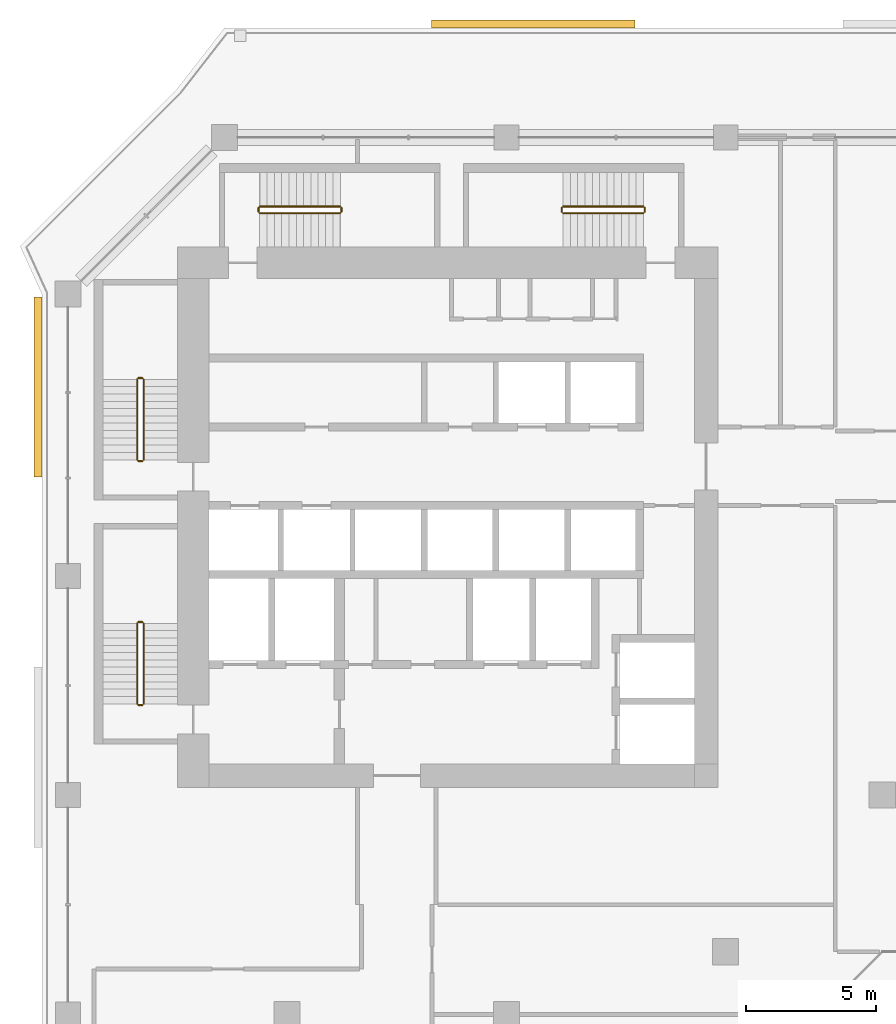
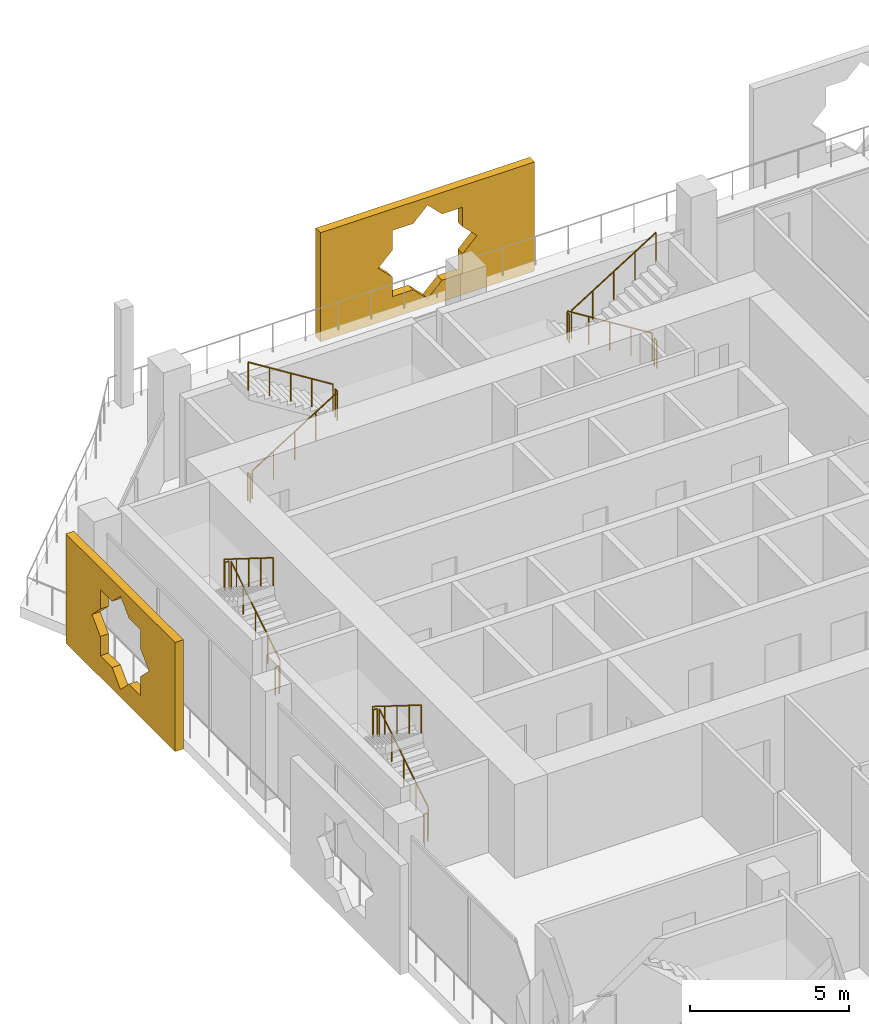
# One storey, part 19 of 22: 16 railings, 2 coverings.
"""IFC4 building model written with IfcOpenShell, lengths in metres."""

from ifc_helpers import new_model, si_unit, direction, frame, origin, origin_2d, place, context, subcontext, project, spatial, polyline, circle, outline, extrude, material, material_profile, profile_set, type_object, element, save


model = new_model("IFC4")

# Units and contexts
model_context = context("Model", 3, precision=1e-05, world=origin(), true_north=direction((0.0, 1.0)))
body_context = subcontext(model_context, "Body", "Model", "MODEL_VIEW")
ifc_project = project(units=[si_unit("LENGTHUNIT", "METRE"), si_unit("AREAUNIT", "SQUARE_METRE"), si_unit("VOLUMEUNIT", "CUBIC_METRE"), si_unit("PLANEANGLEUNIT", "RADIAN"), si_unit("MASSUNIT", "GRAM", prefix="KILO")], contexts=[model_context])

# Site, building, storey
site_placement = place(None, origin())
site = spatial("IfcSite", under=ifc_project, at=site_placement, CompositionType="ELEMENT")
building_placement = place(site_placement, origin())
building = spatial("IfcBuilding", under=site, at=building_placement, Name="Kawkab Arch Medical Tower", CompositionType="ELEMENT")
storey_placement = place(building_placement, frame((0.0, 0.0, 171.0)))
storey = spatial("IfcBuildingStorey", under=building, at=storey_placement, Name="L39", CompositionType="ELEMENT", Elevation=171.0)

# Coverings
ifc_material_1 = material(Name="Bronze anodised aluminium mashrabiya panel, eight-point star pattern", Category="aluminium")
ifc_material_profile_1 = material_profile(ifc_material_1, outline(polyline([(-3.449951171875, -2.10009765625), (3.449951171875, -2.10009765625), (3.449951171875, 2.10009765625), (-3.449951171875, 2.10009765625), (-3.449951171875, -2.10009765625)]), holes=[polyline([(1.800048828125, 0.0), (1.272705078125, 0.527099609375), (1.272705078125, 1.272705078125), (0.527099609375, 1.272705078125), (0.0, 1.800048828125), (-0.527099609375, 1.272705078125), (-1.272705078125, 1.272705078125), (-1.272705078125, 0.527099609375), (-1.800048828125, 0.0), (-1.272705078125, -0.527099609375), (-1.272705078125, -1.272705078125), (-0.527099609375, -1.272705078125), (0.0, -1.800048828125), (0.527099609375, -1.272705078125), (1.272705078125, -1.272705078125), (1.272705078125, -0.527099609375), (1.800048828125, 0.0)])]), Name="Mashrabiya panel 6900x4200")
ifc_profile_set_1 = profile_set([ifc_material_profile_1], Name="Bronze anodised aluminium mashrabiya panel, eight-point star pattern")
covering_type_1 = type_object("IfcCoveringType", Name="Mashrabiya panel 6900 x 4200", PredefinedType="USERDEFINED", material=ifc_profile_set_1)
covering_1_placement = place(storey_placement, frame((-1.0, -9.568115234375, 1.699951171875), z_axis=(-1.0, 0.0, 0.0), x_axis=(0.0, -1.0, 0.0)))
element("IfcCovering", 1, at=covering_1_placement, inside=storey, type_object=covering_type_1, Name="Mashrabiya panel L39.LOG-01-01.3", ObjectType="SCREEN", PredefinedType="USERDEFINED", context=body_context, shape_type="SweptSolid", body=[
    extrude(outline(polyline([(-3.449951171875, -2.10009765625), (3.449951171875, -2.10009765625), (3.449951171875, 2.10009765625), (-3.449951171875, 2.10009765625), (-3.449951171875, -2.10009765625)]), holes=[polyline([(1.800048828125, 0.0), (1.272705078125, 0.527099609375), (1.272705078125, 1.272705078125), (0.527099609375, 1.272705078125), (0.0, 1.800048828125), (-0.527099609375, 1.272705078125), (-1.272705078125, 1.272705078125), (-1.272705078125, 0.527099609375), (-1.800048828125, 0.0), (-1.272705078125, -0.527099609375), (-1.272705078125, -1.272705078125), (-0.527099609375, -1.272705078125), (0.0, -1.800048828125), (0.527099609375, -1.272705078125), (1.272705078125, -1.272705078125), (1.272705078125, -0.527099609375), (1.800048828125, 0.0)])]), origin(), (0.0, 0.0, 1.0), 0.300048828125),
])
ifc_material_2 = material(Name="Bronze anodised aluminium mashrabiya panel, eight-point star pattern", Category="aluminium")
ifc_material_profile_2 = material_profile(ifc_material_2, outline(polyline([(-3.89990234375, -2.10009765625), (3.89990234375, -2.10009765625), (3.89990234375, 2.10009765625), (-3.89990234375, 2.10009765625), (-3.89990234375, -2.10009765625)]), holes=[polyline([(1.800048828125, 0.0), (1.272705078125, 0.527099609375), (1.272705078125, 1.272705078125), (0.527099609375, 1.272705078125), (0.0, 1.800048828125), (-0.527099609375, 1.272705078125), (-1.272705078125, 1.272705078125), (-1.272705078125, 0.527099609375), (-1.800048828125, 0.0), (-1.272705078125, -0.527099609375), (-1.272705078125, -1.272705078125), (-0.527099609375, -1.272705078125), (0.0, -1.800048828125), (0.527099609375, -1.272705078125), (1.272705078125, -1.272705078125), (1.272705078125, -0.527099609375), (1.800048828125, 0.0)])]), Name="Mashrabiya panel 7800x4200")
ifc_profile_set_2 = profile_set([ifc_material_profile_2], Name="Bronze anodised aluminium mashrabiya panel, eight-point star pattern")
covering_type_2 = type_object("IfcCoveringType", Name="Mashrabiya panel 7800 x 4200", PredefinedType="USERDEFINED", material=ifc_profile_set_2)
covering_2_placement = place(storey_placement, frame((17.831298828125, 4.199951171875, 1.699951171875), z_axis=(0.0, 1.0, 0.0), x_axis=(-1.0, 0.0, 0.0)))
element("IfcCovering", 2, at=covering_2_placement, inside=storey, type_object=covering_type_2, Name="Mashrabiya panel L39.LOG-01-01.4", ObjectType="SCREEN", PredefinedType="USERDEFINED", context=body_context, shape_type="SweptSolid", body=[
    extrude(outline(polyline([(-3.89990234375, -2.10009765625), (3.89990234375, -2.10009765625), (3.89990234375, 2.10009765625), (-3.89990234375, 2.10009765625), (-3.89990234375, -2.10009765625)]), holes=[polyline([(1.800048828125, 0.0), (1.272705078125, 0.527099609375), (1.272705078125, 1.272705078125), (0.527099609375, 1.272705078125), (0.0, 1.800048828125), (-0.527099609375, 1.272705078125), (-1.272705078125, 1.272705078125), (-1.272705078125, 0.527099609375), (-1.800048828125, 0.0), (-1.272705078125, -0.527099609375), (-1.272705078125, -1.272705078125), (-0.527099609375, -1.272705078125), (0.0, -1.800048828125), (0.527099609375, -1.272705078125), (1.272705078125, -1.272705078125), (1.272705078125, -0.527099609375), (1.800048828125, 0.0)])]), origin(), (0.0, 0.0, 1.0), 0.300048828125),
])

# Railings
ifc_material_3 = material(Name="Stainless steel", Category="steel")
railing_type = type_object("IfcRailingType", Name="Stair guard 1100", PredefinedType="GUARDRAIL", material=ifc_material_3)
railing_1_placement = place(storey_placement, frame((2.89990234375, -12.35009765625, 0.175048828125)))
element("IfcRailing", 3, at=railing_1_placement, inside=storey, type_object=railing_type, Name="L39 ST1 stair guard 1", PredefinedType="GUARDRAIL", context=body_context, shape_type="SweptSolid", body=[
    extrude(circle(Radius=0.02392578125, at=origin_2d()), frame((0.0, 0.0, 1.076171875), z_axis=(0.0, 0.847998304005, 0.529998940003), x_axis=(-1.0, 0.0, 0.0)), (0.0, 0.0, 1.0), 3.632080078125),
    extrude(circle(Radius=0.02099609375, at=origin_2d()), origin(), (0.0, 0.0, 1.0), 1.052001953125),
    extrude(circle(Radius=0.02099609375, at=origin_2d()), frame((0.0, 0.77001953125, 0.481201171875)), (0.0, 0.0, 1.0), 1.052001953125),
    extrude(circle(Radius=0.02099609375, at=origin_2d()), frame((0.0, 1.5400390625, 0.96240234375)), (0.0, 0.0, 1.0), 1.052001953125),
    extrude(circle(Radius=0.02099609375, at=origin_2d()), frame((0.0, 2.31005859375, 1.44384765625)), (0.0, 0.0, 1.0), 1.052001953125),
    extrude(circle(Radius=0.02099609375, at=origin_2d()), frame((0.0, 3.080078125, 1.925048828125)), (0.0, 0.0, 1.0), 1.052001953125),
])
railing_2_placement = place(storey_placement, frame((2.85009765625, -9.219970703125, 2.10009765625)))
element("IfcRailing", 4, at=railing_2_placement, inside=storey, type_object=railing_type, Name="L39 ST1 stair guard 2", PredefinedType="GUARDRAIL", context=body_context, shape_type="SweptSolid", body=[
    extrude(circle(Radius=0.02392578125, at=origin_2d()), frame((0.0, 0.0, 1.076171875), z_axis=(-1.0, 0.0, 0.0), x_axis=(0.0, -1.0, 0.0)), (0.0, 0.0, 1.0), 0.150146484375),
    extrude(circle(Radius=0.02099609375, at=origin_2d()), origin(), (0.0, 0.0, 1.0), 1.052001953125),
    extrude(circle(Radius=0.02099609375, at=origin_2d()), frame((-0.150146484375, 0.0, 0.0)), (0.0, 0.0, 1.0), 1.052001953125),
])
railing_3_placement = place(storey_placement, frame((2.64990234375, -9.27001953125, 2.27490234375)))
element("IfcRailing", 5, at=railing_3_placement, inside=storey, type_object=railing_type, Name="L39 ST1 stair guard 3", PredefinedType="GUARDRAIL", context=body_context, shape_type="SweptSolid", body=[
    extrude(circle(Radius=0.02392578125, at=origin_2d()), frame((0.0, 0.0, 1.076171875), z_axis=(0.0, -0.847998304005, 0.529998940003), x_axis=(1.0, 0.0, 0.0)), (0.0, 0.0, 1.0), 3.632080078125),
    extrude(circle(Radius=0.02099609375, at=origin_2d()), origin(), (0.0, 0.0, 1.0), 1.052001953125),
    extrude(circle(Radius=0.02099609375, at=origin_2d()), frame((0.0, -0.77001953125, 0.481201171875)), (0.0, 0.0, 1.0), 1.052001953125),
    extrude(circle(Radius=0.02099609375, at=origin_2d()), frame((0.0, -1.5400390625, 0.96240234375)), (0.0, 0.0, 1.0), 1.052001953125),
    extrude(circle(Radius=0.02099609375, at=origin_2d()), frame((0.0, -2.31005859375, 1.44384765625)), (0.0, 0.0, 1.0), 1.052001953125),
    extrude(circle(Radius=0.02099609375, at=origin_2d()), frame((0.0, -3.080078125, 1.925048828125)), (0.0, 0.0, 1.0), 1.052001953125),
])
railing_4_placement = place(storey_placement, frame((2.85009765625, -12.39990234375, 0.0)))
element("IfcRailing", 6, at=railing_4_placement, inside=storey, type_object=railing_type, Name="L39 ST1 stair guard 4", PredefinedType="GUARDRAIL", context=body_context, shape_type="SweptSolid", body=[
    extrude(circle(Radius=0.02392578125, at=origin_2d()), frame((0.0, 0.0, 1.076171875), z_axis=(-1.0, 0.0, 0.0), x_axis=(0.0, -1.0, 0.0)), (0.0, 0.0, 1.0), 0.150146484375),
    extrude(circle(Radius=0.02099609375, at=origin_2d()), origin(), (0.0, 0.0, 1.0), 1.052001953125),
    extrude(circle(Radius=0.02099609375, at=origin_2d()), frame((-0.150146484375, 0.0, 0.0)), (0.0, 0.0, 1.0), 1.052001953125),
])
railing_5_placement = place(storey_placement, frame((2.89990234375, -21.699951171875, 0.175048828125)))
element("IfcRailing", 7, at=railing_5_placement, inside=storey, type_object=railing_type, Name="L39 ST2 stair guard 1", PredefinedType="GUARDRAIL", context=body_context, shape_type="SweptSolid", body=[
    extrude(circle(Radius=0.02392578125, at=origin_2d()), frame((0.0, 0.0, 1.076171875), z_axis=(0.0, 0.847979421464, 0.530029150871), x_axis=(-1.0, 0.0, 0.0)), (0.0, 0.0, 1.0), 3.632080078125),
    extrude(circle(Radius=0.02099609375, at=origin_2d()), origin(), (0.0, 0.0, 1.0), 1.052001953125),
    extrude(circle(Radius=0.02099609375, at=origin_2d()), frame((0.0, 0.77001953125, 0.481201171875)), (0.0, 0.0, 1.0), 1.052001953125),
    extrude(circle(Radius=0.02099609375, at=origin_2d()), frame((0.0, 1.5400390625, 0.96240234375)), (0.0, 0.0, 1.0), 1.052001953125),
    extrude(circle(Radius=0.02099609375, at=origin_2d()), frame((0.0, 2.309814453125, 1.44384765625)), (0.0, 0.0, 1.0), 1.052001953125),
    extrude(circle(Radius=0.02099609375, at=origin_2d()), frame((0.0, 3.079833984375, 1.925048828125)), (0.0, 0.0, 1.0), 1.052001953125),
])
railing_6_placement = place(storey_placement, frame((2.85009765625, -18.570068359375, 2.10009765625)))
element("IfcRailing", 8, at=railing_6_placement, inside=storey, type_object=railing_type, Name="L39 ST2 stair guard 2", PredefinedType="GUARDRAIL", context=body_context, shape_type="SweptSolid", body=[
    extrude(circle(Radius=0.02392578125, at=origin_2d()), frame((0.0, 0.0, 1.076171875), z_axis=(-1.0, 0.0, 0.0), x_axis=(0.0, -1.0, 0.0)), (0.0, 0.0, 1.0), 0.150146484375),
    extrude(circle(Radius=0.02099609375, at=origin_2d()), origin(), (0.0, 0.0, 1.0), 1.052001953125),
    extrude(circle(Radius=0.02099609375, at=origin_2d()), frame((-0.150146484375, 0.0, 0.0)), (0.0, 0.0, 1.0), 1.052001953125),
])
railing_7_placement = place(storey_placement, frame((2.64990234375, -18.6201171875, 2.27490234375)))
element("IfcRailing", 9, at=railing_7_placement, inside=storey, type_object=railing_type, Name="L39 ST2 stair guard 3", PredefinedType="GUARDRAIL", context=body_context, shape_type="SweptSolid", body=[
    extrude(circle(Radius=0.02392578125, at=origin_2d()), frame((0.0, 0.0, 1.076171875), z_axis=(0.0, -0.847979421464, 0.530029150871), x_axis=(1.0, 0.0, 0.0)), (0.0, 0.0, 1.0), 3.632080078125),
    extrude(circle(Radius=0.02099609375, at=origin_2d()), origin(), (0.0, 0.0, 1.0), 1.052001953125),
    extrude(circle(Radius=0.02099609375, at=origin_2d()), frame((0.0, -0.77001953125, 0.481201171875)), (0.0, 0.0, 1.0), 1.052001953125),
    extrude(circle(Radius=0.02099609375, at=origin_2d()), frame((0.0, -1.5400390625, 0.96240234375)), (0.0, 0.0, 1.0), 1.052001953125),
    extrude(circle(Radius=0.02099609375, at=origin_2d()), frame((0.0, -2.309814453125, 1.44384765625)), (0.0, 0.0, 1.0), 1.052001953125),
    extrude(circle(Radius=0.02099609375, at=origin_2d()), frame((0.0, -3.079833984375, 1.925048828125)), (0.0, 0.0, 1.0), 1.052001953125),
])
railing_8_placement = place(storey_placement, frame((2.85009765625, -21.75, 0.0)))
element("IfcRailing", 10, at=railing_8_placement, inside=storey, type_object=railing_type, Name="L39 ST2 stair guard 4", PredefinedType="GUARDRAIL", context=body_context, shape_type="SweptSolid", body=[
    extrude(circle(Radius=0.02392578125, at=origin_2d()), frame((0.0, 0.0, 1.076171875), z_axis=(-1.0, 0.0, 0.0), x_axis=(0.0, -1.0, 0.0)), (0.0, 0.0, 1.0), 0.150146484375),
    extrude(circle(Radius=0.02099609375, at=origin_2d()), origin(), (0.0, 0.0, 1.0), 1.052001953125),
    extrude(circle(Radius=0.02099609375, at=origin_2d()), frame((-0.150146484375, 0.0, 0.0)), (0.0, 0.0, 1.0), 1.052001953125),
])
railing_9_placement = place(storey_placement, frame((7.35009765625, -2.89990234375, 0.175048828125)))
element("IfcRailing", 11, at=railing_9_placement, inside=storey, type_object=railing_type, Name="L39 ST3 stair guard 1", PredefinedType="GUARDRAIL", context=body_context, shape_type="SweptSolid", body=[
    extrude(circle(Radius=0.02392578125, at=origin_2d()), frame((0.0, 0.0, 1.076171875), z_axis=(0.847979421464, 0.0, 0.530029150871), x_axis=(0.0, 1.0, 0.0)), (0.0, 0.0, 1.0), 3.632080078125),
    extrude(circle(Radius=0.02099609375, at=origin_2d()), origin(), (0.0, 0.0, 1.0), 1.052001953125),
    extrude(circle(Radius=0.02099609375, at=origin_2d()), frame((0.77001953125, 0.0, 0.481201171875)), (0.0, 0.0, 1.0), 1.052001953125),
    extrude(circle(Radius=0.02099609375, at=origin_2d()), frame((1.5400390625, 0.0, 0.96240234375)), (0.0, 0.0, 1.0), 1.052001953125),
    extrude(circle(Radius=0.02099609375, at=origin_2d()), frame((2.309814453125, 0.0, 1.44384765625)), (0.0, 0.0, 1.0), 1.052001953125),
    extrude(circle(Radius=0.02099609375, at=origin_2d()), frame((3.079833984375, 0.0, 1.925048828125)), (0.0, 0.0, 1.0), 1.052001953125),
])
railing_10_placement = place(storey_placement, frame((10.47998046875, -2.85009765625, 2.10009765625)))
element("IfcRailing", 12, at=railing_10_placement, inside=storey, type_object=railing_type, Name="L39 ST3 stair guard 2", PredefinedType="GUARDRAIL", context=body_context, shape_type="SweptSolid", body=[
    extrude(circle(Radius=0.02392578125, at=origin_2d()), frame((0.0, 0.0, 1.076171875), z_axis=(0.0, 1.0, 0.0), x_axis=(-1.0, 0.0, 0.0)), (0.0, 0.0, 1.0), 0.150146484375),
    extrude(circle(Radius=0.02099609375, at=origin_2d()), origin(), (0.0, 0.0, 1.0), 1.052001953125),
    extrude(circle(Radius=0.02099609375, at=origin_2d()), frame((0.0, 0.150146484375, 0.0)), (0.0, 0.0, 1.0), 1.052001953125),
])
railing_11_placement = place(storey_placement, frame((10.429931640625, -2.64990234375, 2.27490234375)))
element("IfcRailing", 13, at=railing_11_placement, inside=storey, type_object=railing_type, Name="L39 ST3 stair guard 3", PredefinedType="GUARDRAIL", context=body_context, shape_type="SweptSolid", body=[
    extrude(circle(Radius=0.02392578125, at=origin_2d()), frame((0.0, 0.0, 1.076171875), z_axis=(-0.847979421464, 0.0, 0.530029150871), x_axis=(0.0, -1.0, 0.0)), (0.0, 0.0, 1.0), 3.632080078125),
    extrude(circle(Radius=0.02099609375, at=origin_2d()), origin(), (0.0, 0.0, 1.0), 1.052001953125),
    extrude(circle(Radius=0.02099609375, at=origin_2d()), frame((-0.77001953125, 0.0, 0.481201171875)), (0.0, 0.0, 1.0), 1.052001953125),
    extrude(circle(Radius=0.02099609375, at=origin_2d()), frame((-1.5400390625, 0.0, 0.96240234375)), (0.0, 0.0, 1.0), 1.052001953125),
    extrude(circle(Radius=0.02099609375, at=origin_2d()), frame((-2.309814453125, 0.0, 1.44384765625)), (0.0, 0.0, 1.0), 1.052001953125),
    extrude(circle(Radius=0.02099609375, at=origin_2d()), frame((-3.079833984375, 0.0, 1.925048828125)), (0.0, 0.0, 1.0), 1.052001953125),
])
railing_12_placement = place(storey_placement, frame((7.300048828125, -2.85009765625, 0.0)))
element("IfcRailing", 14, at=railing_12_placement, inside=storey, type_object=railing_type, Name="L39 ST3 stair guard 4", PredefinedType="GUARDRAIL", context=body_context, shape_type="SweptSolid", body=[
    extrude(circle(Radius=0.02392578125, at=origin_2d()), frame((0.0, 0.0, 1.076171875), z_axis=(0.0, 1.0, 0.0), x_axis=(-1.0, 0.0, 0.0)), (0.0, 0.0, 1.0), 0.150146484375),
    extrude(circle(Radius=0.02099609375, at=origin_2d()), origin(), (0.0, 0.0, 1.0), 1.052001953125),
    extrude(circle(Radius=0.02099609375, at=origin_2d()), frame((0.0, 0.150146484375, 0.0)), (0.0, 0.0, 1.0), 1.052001953125),
])
railing_13_placement = place(storey_placement, frame((22.050048828125, -2.64990234375, 0.175048828125)))
element("IfcRailing", 15, at=railing_13_placement, inside=storey, type_object=railing_type, Name="L39 ST4 stair guard 1", PredefinedType="GUARDRAIL", context=body_context, shape_type="SweptSolid", body=[
    extrude(circle(Radius=0.02392578125, at=origin_2d()), frame((0.0, 0.0, 1.076171875), z_axis=(-0.847998304005, 0.0, 0.529998940003), x_axis=(0.0, -1.0, 0.0)), (0.0, 0.0, 1.0), 3.632080078125),
    extrude(circle(Radius=0.02099609375, at=origin_2d()), origin(), (0.0, 0.0, 1.0), 1.052001953125),
    extrude(circle(Radius=0.02099609375, at=origin_2d()), frame((-0.77001953125, 0.0, 0.481201171875)), (0.0, 0.0, 1.0), 1.052001953125),
    extrude(circle(Radius=0.02099609375, at=origin_2d()), frame((-1.5400390625, 0.0, 0.96240234375)), (0.0, 0.0, 1.0), 1.052001953125),
    extrude(circle(Radius=0.02099609375, at=origin_2d()), frame((-2.31005859375, 0.0, 1.44384765625)), (0.0, 0.0, 1.0), 1.052001953125),
    extrude(circle(Radius=0.02099609375, at=origin_2d()), frame((-3.080078125, 0.0, 1.925048828125)), (0.0, 0.0, 1.0), 1.052001953125),
])
railing_14_placement = place(storey_placement, frame((18.919921875, -2.699951171875, 2.10009765625)))
element("IfcRailing", 16, at=railing_14_placement, inside=storey, type_object=railing_type, Name="L39 ST4 stair guard 2", PredefinedType="GUARDRAIL", context=body_context, shape_type="SweptSolid", body=[
    extrude(circle(Radius=0.02392578125, at=origin_2d()), frame((0.0, 0.0, 1.076171875), z_axis=(0.0, -1.0, 0.0), x_axis=(1.0, 0.0, 0.0)), (0.0, 0.0, 1.0), 0.150146484375),
    extrude(circle(Radius=0.02099609375, at=origin_2d()), origin(), (0.0, 0.0, 1.0), 1.052001953125),
    extrude(circle(Radius=0.02099609375, at=origin_2d()), frame((0.0, -0.150146484375, 0.0)), (0.0, 0.0, 1.0), 1.052001953125),
])
railing_15_placement = place(storey_placement, frame((18.969970703125, -2.89990234375, 2.27490234375)))
element("IfcRailing", 17, at=railing_15_placement, inside=storey, type_object=railing_type, Name="L39 ST4 stair guard 3", PredefinedType="GUARDRAIL", context=body_context, shape_type="SweptSolid", body=[
    extrude(circle(Radius=0.02392578125, at=origin_2d()), frame((0.0, 0.0, 1.076171875), z_axis=(0.847998304005, 0.0, 0.529998940003), x_axis=(0.0, 1.0, 0.0)), (0.0, 0.0, 1.0), 3.632080078125),
    extrude(circle(Radius=0.02099609375, at=origin_2d()), origin(), (0.0, 0.0, 1.0), 1.052001953125),
    extrude(circle(Radius=0.02099609375, at=origin_2d()), frame((0.77001953125, 0.0, 0.481201171875)), (0.0, 0.0, 1.0), 1.052001953125),
    extrude(circle(Radius=0.02099609375, at=origin_2d()), frame((1.5400390625, 0.0, 0.96240234375)), (0.0, 0.0, 1.0), 1.052001953125),
    extrude(circle(Radius=0.02099609375, at=origin_2d()), frame((2.31005859375, 0.0, 1.44384765625)), (0.0, 0.0, 1.0), 1.052001953125),
    extrude(circle(Radius=0.02099609375, at=origin_2d()), frame((3.080078125, 0.0, 1.925048828125)), (0.0, 0.0, 1.0), 1.052001953125),
])
railing_16_placement = place(storey_placement, frame((22.10009765625, -2.699951171875, 0.0)))
element("IfcRailing", 18, at=railing_16_placement, inside=storey, type_object=railing_type, Name="L39 ST4 stair guard 4", PredefinedType="GUARDRAIL", context=body_context, shape_type="SweptSolid", body=[
    extrude(circle(Radius=0.02392578125, at=origin_2d()), frame((0.0, 0.0, 1.076171875), z_axis=(0.0, -1.0, 0.0), x_axis=(1.0, 0.0, 0.0)), (0.0, 0.0, 1.0), 0.150146484375),
    extrude(circle(Radius=0.02099609375, at=origin_2d()), origin(), (0.0, 0.0, 1.0), 1.052001953125),
    extrude(circle(Radius=0.02099609375, at=origin_2d()), frame((0.0, -0.150146484375, 0.0)), (0.0, 0.0, 1.0), 1.052001953125),
])

save(model, "model.ifc")
